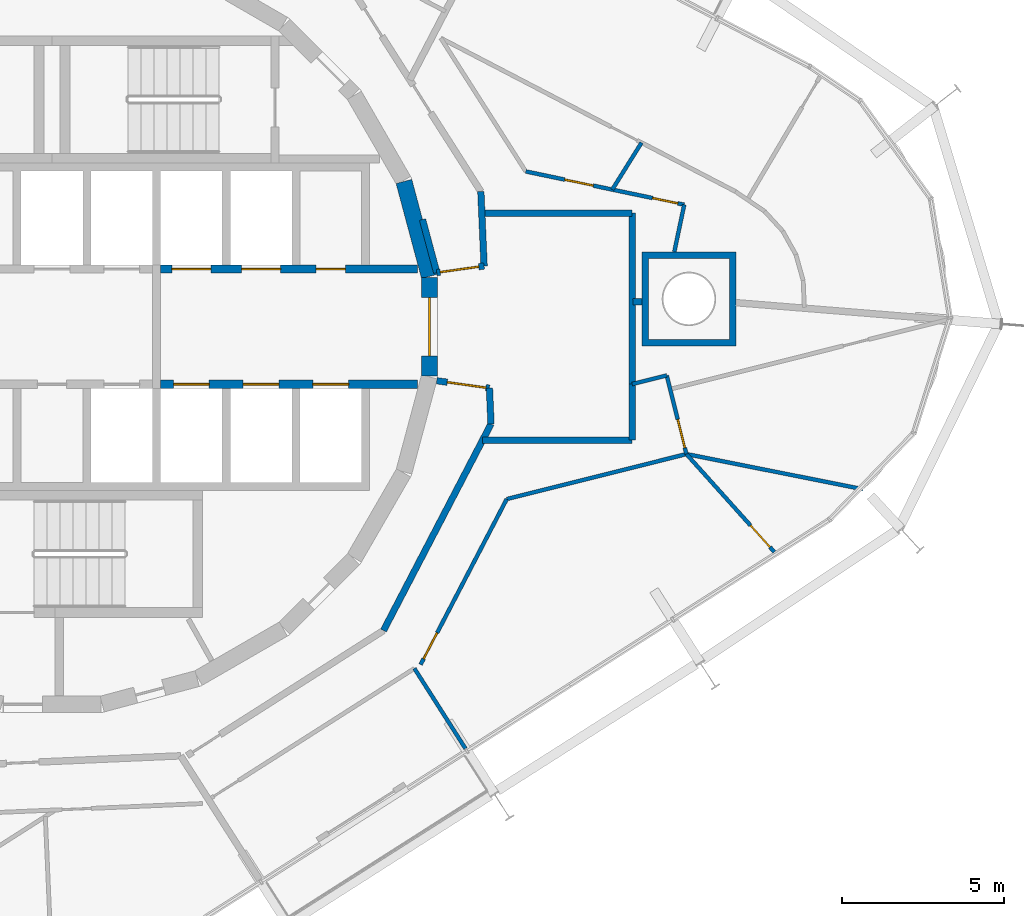
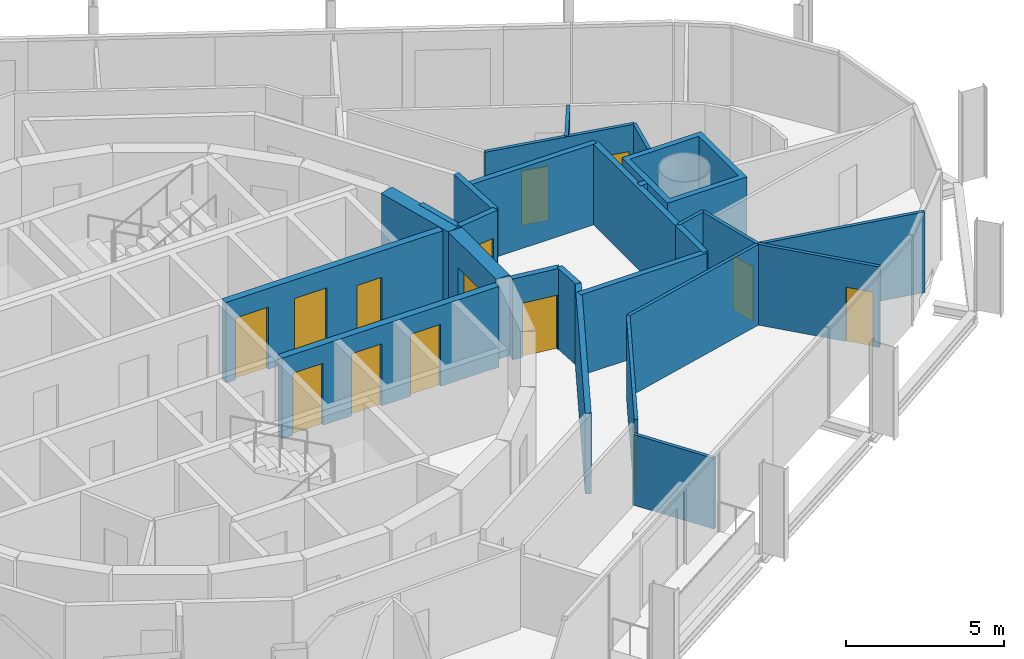
# One storey, part 14 of 18: 26 walls, 14 doors, 14 openings.
"""IFC4 building model written with IfcOpenShell, lengths in metres."""

from ifc_helpers import new_model, si_unit, direction, frame, frame_2d, origin, place, context, subcontext, project, spatial, polyline, rectangle, outline, extrude, material, layer, layer_set, type_object, element, fill, save


model = new_model("IFC4")

# Units and contexts
model_context = context("Model", 3, precision=1e-05, world=origin(), true_north=direction((0.0, 1.0)))
body_context = subcontext(model_context, "Body", "Model", "MODEL_VIEW")
ifc_project = project(units=[si_unit("LENGTHUNIT", "METRE"), si_unit("AREAUNIT", "SQUARE_METRE"), si_unit("VOLUMEUNIT", "CUBIC_METRE"), si_unit("PLANEANGLEUNIT", "RADIAN"), si_unit("MASSUNIT", "GRAM", prefix="KILO")], contexts=[model_context])

# Site, building, storey
site_placement = place(None, origin())
site = spatial("IfcSite", under=ifc_project, at=site_placement, CompositionType="ELEMENT")
building_placement = place(site_placement, origin())
building = spatial("IfcBuilding", under=site, at=building_placement, Name="Spindle Arch Residences", CompositionType="ELEMENT")
storey_placement = place(building_placement, frame((0.0, 0.0, 230.199951171875)))
storey = spatial("IfcBuildingStorey", under=building, at=storey_placement, Name="L58", CompositionType="ELEMENT", Elevation=230.199951171875)

# Wall, opening, door
ifc_material_1 = material(Name="Concrete C50/60", Category="concrete")
ifc_layer_1 = layer(ifc_material_1, 0.5)
ifc_layer_set_1 = layer_set([ifc_layer_1], Name="Core outline wall 500")
wall_type_1 = type_object("IfcWallType", Name="Core outline wall 500", PredefinedType="SHEAR", material=ifc_layer_set_1)
wall_1_placement = place(storey_placement, frame((11.647216796875, -1.516357421875, 0.0), z_axis=(0.0, 0.0, 1.0), x_axis=(0.0, 1.0, 0.0)))
wall_1 = element("IfcWall", 1, at=wall_1_placement, inside=storey, type_object=wall_type_1, Name="Core outline wall 6", PredefinedType="SHEAR", context=body_context, shape_type="SweptSolid", body=[
    extrude(rectangle(XDim=3.03271484375, YDim=0.5, at=frame_2d((1.516357421875, 0.0))), origin(), (0.0, 0.0, 1.0), 3.1201171875),
])
opening_1_placement = place(wall_1_placement, frame((0.6162109375, 0.0, 0.0)))
opening_1 = element("IfcOpeningElement", 2, at=opening_1_placement, cuts=wall_1, Name="Opening R6A1-FE01", PredefinedType="OPENING", context=body_context, shape_type="SweptSolid", body=[
    extrude(rectangle(XDim=1.800048828125, YDim=2.10009765625, at=frame_2d((0.89990234375, 1.050048828125))), frame((0.0, 0.260009765625, 0.0), z_axis=(0.0, -1.0, 0.0), x_axis=(1.0, 0.0, 0.0)), (0.0, 0.0, 1.0), 0.52001953125),
])
ifc_material_2 = material(Name="Steel, fire-resisting door", Category="steel")
door_type_1 = type_object("IfcDoorType", Name="Fire-lift lobby door 1800x2100", OperationType="DOUBLE_DOOR_SINGLE_SWING", PredefinedType="DOOR", material=ifc_material_2)
door_1_placement = place(opening_1_placement, origin())
door_1 = element("IfcDoor", 3, at=door_1_placement, inside=storey, type_object=door_type_1, Name="Fire-lift lobby door R6A1-FE01", OperationType="DOUBLE_DOOR_SINGLE_SWING", OverallHeight=2.10009765625, OverallWidth=1.800048828125, PredefinedType="DOOR", context=body_context, shape_type="SweptSolid", body=[
    extrude(rectangle(XDim=1.800048828125, YDim=2.10009765625, at=frame_2d((0.89990234375, 1.050048828125))), frame((0.0, 0.02490234375, 0.0), z_axis=(0.0, -1.0, 0.0), x_axis=(1.0, 0.0, 0.0)), (0.0, 0.0, 1.0), 0.050048828125),
])
fill(opening_1, door_1)

# Walls
wall_2_placement = place(storey_placement, frame((11.642822265625, 1.5498046875, 0.0), z_axis=(0.0, 0.0, 1.0), x_axis=(-0.258734743916, 0.965948410781, 0.0)))
element("IfcWall", 4, at=wall_2_placement, inside=storey, type_object=wall_type_1, Name="Core outline wall 7", PredefinedType="SHEAR", context=body_context, shape_type="SweptSolid", body=[
    extrude(rectangle(XDim=3.03271484375, YDim=0.5, at=frame_2d((1.516357421875, 0.0))), origin(), (0.0, 0.0, 1.0), 3.1201171875),
])
ifc_material_3 = material(Name="Calcium silicate block, plastered")
ifc_layer_2 = layer(ifc_material_3, 0.199951171875)
ifc_layer_set_2 = layer_set([ifc_layer_2], Name="Fire-lift lobby bay wall 200")
wall_type_2 = type_object("IfcWallType", Name="Fire-lift lobby bay wall 200", PredefinedType="STANDARD", material=ifc_layer_set_2)
wall_3_placement = place(storey_placement, frame((11.8701171875, 1.668212890625, 0.0), z_axis=(0.0, 0.0, 1.0), x_axis=(-0.258836880648, 0.965921047093, 0.0)))
element("IfcWall", 5, at=wall_3_placement, inside=storey, type_object=wall_type_2, Name="Fire-lift lobby bay wall R6A1-W001", PredefinedType="STANDARD", context=body_context, shape_type="SweptSolid", body=[
    extrude(rectangle(XDim=1.695068359375, YDim=0.199951171875, at=frame_2d((0.84765625, 0.0))), origin(), (0.0, 0.0, 1.0), 3.1201171875),
])

# Wall, opening, door
wall_4_placement = place(storey_placement, frame((11.8701171875, 1.668212890625, 0.0), z_axis=(0.0, 0.0, 1.0), x_axis=(0.990267985606, 0.139173692496, 0.0)))
wall_4 = element("IfcWall", 6, at=wall_4_placement, inside=storey, type_object=wall_type_2, Name="Fire-lift lobby bay wall R6A1-W002", PredefinedType="STANDARD", context=body_context, shape_type="SweptSolid", body=[
    extrude(rectangle(XDim=1.475341796875, YDim=0.199951171875, at=frame_2d((0.73779296875, 0.0))), origin(), (0.0, 0.0, 1.0), 3.1201171875),
])
opening_2_placement = place(wall_4_placement, frame((0.110107421875, 0.0, 0.0)))
opening_2 = element("IfcOpeningElement", 7, at=opening_2_placement, cuts=wall_4, Name="Opening R6A1-CD01", PredefinedType="OPENING", context=body_context, shape_type="SweptSolid", body=[
    extrude(rectangle(XDim=1.199951171875, YDim=2.10009765625, at=frame_2d((0.60009765625, 1.050048828125))), frame((0.0, 0.10986328125, 0.0), z_axis=(0.0, -1.0, 0.0), x_axis=(1.0, 0.0, 0.0)), (0.0, 0.0, 1.0), 0.219970703125),
])
ifc_material_4 = material(Name="Steel, fire-resisting door", Category="steel")
door_type_2 = type_object("IfcDoorType", Name="Corridor division door 1200x2100", OperationType="NOTDEFINED", PredefinedType="DOOR", material=ifc_material_4)
door_2_placement = place(opening_2_placement, origin())
door_2 = element("IfcDoor", 8, at=door_2_placement, inside=storey, type_object=door_type_2, Name="Corridor division door R6A1-CD01", OperationType="DOUBLE_DOOR_SINGLE_SWING", OverallHeight=2.10009765625, OverallWidth=1.199951171875, PredefinedType="DOOR", context=body_context, shape_type="SweptSolid", body=[
    extrude(rectangle(XDim=1.199951171875, YDim=2.10009765625, at=frame_2d((0.60009765625, 1.050048828125))), frame((0.0, 0.02490234375, 0.0), z_axis=(0.0, -1.0, 0.0), x_axis=(1.0, 0.0, 0.0)), (0.0, 0.0, 1.0), 0.050048828125),
])
fill(opening_2, door_2)

# Walls
wall_5_placement = place(storey_placement, frame((13.3310546875, 1.87353515625, 0.0), z_axis=(0.0, 0.0, 1.0), x_axis=(-0.043621457762, 0.999048131184, 0.0)))
element("IfcWall", 9, at=wall_5_placement, inside=storey, type_object=wall_type_2, Name="Fire-lift lobby bay wall R6A1-W003", PredefinedType="STANDARD", context=body_context, shape_type="SweptSolid", body=[
    extrude(rectangle(XDim=2.30029296875, YDim=0.199951171875, at=frame_2d((1.150146484375, 0.0))), origin(), (0.0, 0.0, 1.0), 3.1201171875),
])
wall_6_placement = place(storey_placement, frame((10.22802734375, -9.372314453125, 0.0), z_axis=(0.0, 0.0, 1.0), x_axis=(0.461759464021, 0.887005184532, 0.0)))
element("IfcWall", 10, at=wall_6_placement, inside=storey, type_object=wall_type_2, Name="Fire-lift lobby bay wall R6A1-W013", PredefinedType="STANDARD", context=body_context, shape_type="SweptSolid", body=[
    extrude(rectangle(XDim=7.18115234375, YDim=0.199951171875, at=frame_2d((3.590576171875, 0.0))), origin(), (0.0, 0.0, 1.0), 3.1201171875),
])
wall_7_placement = place(storey_placement, frame((13.5439453125, -3.002685546875, 0.0), z_axis=(0.0, 0.0, 1.0), x_axis=(-0.043666917606, 0.999046145234, 0.0)))
element("IfcWall", 11, at=wall_7_placement, inside=storey, type_object=wall_type_2, Name="Fire-lift lobby bay wall R6A1-W014", PredefinedType="STANDARD", context=body_context, shape_type="SweptSolid", body=[
    extrude(rectangle(XDim=1.10693359375, YDim=0.199951171875, at=frame_2d((0.553466796875, 0.0))), origin(), (0.0, 0.0, 1.0), 3.1201171875),
])

# Wall, opening, door
wall_8_placement = place(storey_placement, frame((13.49560546875, -1.896728515625, 0.0), z_axis=(0.0, 0.0, 1.0), x_axis=(-0.99026234641, 0.139213811391, 0.0)))
wall_8 = element("IfcWall", 12, at=wall_8_placement, inside=storey, type_object=wall_type_2, Name="Fire-lift lobby bay wall R6A1-W015", PredefinedType="STANDARD", context=body_context, shape_type="SweptSolid", body=[
    extrude(rectangle(XDim=1.641357421875, YDim=0.199951171875, at=frame_2d((0.82080078125, 0.0))), origin(), (0.0, 0.0, 1.0), 3.1201171875),
])
opening_3_placement = place(wall_8_placement, frame((0.110107421875, 0.0, 0.0)))
opening_3 = element("IfcOpeningElement", 13, at=opening_3_placement, cuts=wall_8, Name="Opening R6A1-CD02", PredefinedType="OPENING", context=body_context, shape_type="SweptSolid", body=[
    extrude(rectangle(XDim=1.199951171875, YDim=2.10009765625, at=frame_2d((0.60009765625, 1.050048828125))), frame((0.0, 0.10986328125, 0.0), z_axis=(0.0, -1.0, 0.0), x_axis=(1.0, 0.0, 0.0)), (0.0, 0.0, 1.0), 0.219970703125),
])
door_3_placement = place(opening_3_placement, origin())
door_3 = element("IfcDoor", 14, at=door_3_placement, inside=storey, type_object=door_type_2, Name="Corridor division door R6A1-CD02", OperationType="DOUBLE_DOOR_SINGLE_SWING", OverallHeight=2.10009765625, OverallWidth=1.199951171875, PredefinedType="DOOR", context=body_context, shape_type="SweptSolid", body=[
    extrude(rectangle(XDim=1.199951171875, YDim=2.10009765625, at=frame_2d((0.60009765625, 1.050048828125))), frame((0.0, 0.02490234375, 0.0), z_axis=(0.0, -1.0, 0.0), x_axis=(1.0, 0.0, 0.0)), (0.0, 0.0, 1.0), 0.050048828125),
])
fill(opening_3, door_3)

# Walls
wall_9_placement = place(storey_placement, frame((17.89990234375, -1.77197265625, 0.0), z_axis=(0.0, 0.0, 1.0), x_axis=(0.0, 1.0, 0.0)))
element("IfcWall", 15, at=wall_9_placement, inside=storey, type_object=wall_type_2, Name="Fire-lift lobby bay wall R6A1-W024", PredefinedType="STANDARD", context=body_context, shape_type="SweptSolid", body=[
    extrude(rectangle(XDim=5.27197265625, YDim=0.199951171875, at=frame_2d((2.635986328125, 0.0))), origin(), (0.0, 0.0, 1.0), 3.1201171875),
])
wall_10_placement = place(storey_placement, frame((17.89990234375, 3.5, 0.0), z_axis=(0.0, 0.0, 1.0), x_axis=(-1.0, 0.0, 0.0)))
element("IfcWall", 16, at=wall_10_placement, inside=storey, type_object=wall_type_2, Name="Fire-lift lobby bay wall R6A1-W025", PredefinedType="STANDARD", context=body_context, shape_type="SweptSolid", body=[
    extrude(rectangle(XDim=4.639892578125, YDim=0.199951171875, at=frame_2d((2.31982421875, 0.0))), origin(), (0.0, 0.0, 1.0), 3.1201171875),
])
wall_11_placement = place(storey_placement, frame((13.284912109375, -3.5, 0.0), z_axis=(0.0, 0.0, 1.0), x_axis=(1.0, 0.0, 0.0)))
element("IfcWall", 17, at=wall_11_placement, inside=storey, type_object=wall_type_2, Name="Fire-lift lobby bay wall R6A1-W026", PredefinedType="STANDARD", context=body_context, shape_type="SweptSolid", body=[
    extrude(rectangle(XDim=4.614990234375, YDim=0.199951171875, at=frame_2d((2.3076171875, 0.0))), origin(), (0.0, 0.0, 1.0), 3.1201171875),
])
wall_12_placement = place(storey_placement, frame((17.89990234375, -3.5, 0.0), z_axis=(0.0, 0.0, 1.0), x_axis=(0.0, 1.0, 0.0)))
element("IfcWall", 18, at=wall_12_placement, inside=storey, type_object=wall_type_2, Name="Fire-lift lobby bay wall R6A1-W027", PredefinedType="STANDARD", context=body_context, shape_type="SweptSolid", body=[
    extrude(rectangle(XDim=1.72802734375, YDim=0.199951171875, at=frame_2d((0.864013671875, 0.0))), origin(), (0.0, 0.0, 1.0), 3.1201171875),
])

# Wall, openings, doors
ifc_material_5 = material(Name="Concrete C40/50", Category="concrete")
ifc_layer_3 = layer(ifc_material_5, 0.25)
ifc_layer_set_3 = layer_set([ifc_layer_3], Name="Fire-lift lobby wall 250")
wall_type_3 = type_object("IfcWallType", Name="Fire-lift lobby wall 250", PredefinedType="SHEAR", material=ifc_layer_set_3)
wall_13_placement = place(storey_placement, frame((3.35009765625, 1.77490234375, 0.0), z_axis=(0.0, 0.0, 1.0), x_axis=(1.0, 0.0, 0.0)))
wall_13 = element("IfcWall", 19, at=wall_13_placement, inside=storey, type_object=wall_type_3, Name="Lift shaft front wall NE", PredefinedType="SHEAR", context=body_context, shape_type="SweptSolid", body=[
    extrude(rectangle(XDim=7.929931640625, YDim=0.25, at=frame_2d((3.96484375, 0.0))), origin(), (0.0, 0.0, 1.0), 3.1201171875),
])
opening_4_placement = place(wall_13_placement, frame((0.35009765625, 0.0, 0.0)))
opening_4 = element("IfcOpeningElement", 20, at=opening_4_placement, cuts=wall_13, Name="Opening R6A1-SLD01", PredefinedType="OPENING", context=body_context, shape_type="SweptSolid", body=[
    extrude(rectangle(XDim=1.199951171875, YDim=2.39990234375, at=frame_2d((0.60009765625, 1.199951171875))), frame((0.0, 0.135009765625, 0.0), z_axis=(0.0, -1.0, 0.0), x_axis=(1.0, 0.0, 0.0)), (0.0, 0.0, 1.0), 0.27001953125),
])
opening_5_placement = place(wall_13_placement, frame((2.5, 0.0, 0.0)))
opening_5 = element("IfcOpeningElement", 21, at=opening_5_placement, cuts=wall_13, Name="Opening R6A1-SLD02", PredefinedType="OPENING", context=body_context, shape_type="SweptSolid", body=[
    extrude(rectangle(XDim=1.199951171875, YDim=2.39990234375, at=frame_2d((0.60009765625, 1.199951171875))), frame((0.0, 0.135009765625, 0.0), z_axis=(0.0, -1.0, 0.0), x_axis=(1.0, 0.0, 0.0)), (0.0, 0.0, 1.0), 0.27001953125),
])
opening_6_placement = place(wall_13_placement, frame((4.800048828125, 0.0, 0.0)))
opening_6 = element("IfcOpeningElement", 22, at=opening_6_placement, cuts=wall_13, Name="Opening R6A1-WD03", PredefinedType="OPENING", context=body_context, shape_type="SweptSolid", body=[
    extrude(rectangle(XDim=0.89990234375, YDim=2.10009765625, at=frame_2d((0.449951171875, 1.050048828125))), frame((0.0, 0.135009765625, 0.0), z_axis=(0.0, -1.0, 0.0), x_axis=(1.0, 0.0, 0.0)), (0.0, 0.0, 1.0), 0.27001953125),
])
ifc_material_6 = material(Name="Steel, fire-resisting landing door", Category="steel")
door_type_3 = type_object("IfcDoorType", Name="Service lift landing door 1200x2400", OperationType="DOUBLE_DOOR_SLIDING", PredefinedType="DOOR", material=ifc_material_6)
door_4_placement = place(opening_4_placement, origin())
door_4 = element("IfcDoor", 23, at=door_4_placement, inside=storey, type_object=door_type_3, Name="Service lift landing door R6A1-SLD01", OperationType="DOUBLE_DOOR_SLIDING", OverallHeight=2.39990234375, OverallWidth=1.199951171875, PredefinedType="DOOR", context=body_context, shape_type="SweptSolid", body=[
    extrude(rectangle(XDim=1.199951171875, YDim=2.39990234375, at=frame_2d((0.60009765625, 1.199951171875))), frame((0.0, 0.02490234375, 0.0), z_axis=(0.0, -1.0, 0.0), x_axis=(1.0, 0.0, 0.0)), (0.0, 0.0, 1.0), 0.050048828125),
])
fill(opening_4, door_4)
door_5_placement = place(opening_5_placement, origin())
door_5 = element("IfcDoor", 24, at=door_5_placement, inside=storey, type_object=door_type_3, Name="Service lift landing door R6A1-SLD02", OperationType="DOUBLE_DOOR_SLIDING", OverallHeight=2.39990234375, OverallWidth=1.199951171875, PredefinedType="DOOR", context=body_context, shape_type="SweptSolid", body=[
    extrude(rectangle(XDim=1.199951171875, YDim=2.39990234375, at=frame_2d((0.60009765625, 1.199951171875))), frame((0.0, 0.02490234375, 0.0), z_axis=(0.0, -1.0, 0.0), x_axis=(1.0, 0.0, 0.0)), (0.0, 0.0, 1.0), 0.050048828125),
])
fill(opening_5, door_5)
ifc_material_7 = material(Name="Steel, fire-resisting door", Category="steel")
door_type_4 = type_object("IfcDoorType", Name="Service room door 900x2100", OperationType="SINGLE_SWING_LEFT", PredefinedType="DOOR", material=ifc_material_7)
door_6_placement = place(opening_6_placement, origin())
door_6 = element("IfcDoor", 25, at=door_6_placement, inside=storey, type_object=door_type_4, Name="Service room door R6A1-WD03", OperationType="SINGLE_SWING_LEFT", OverallHeight=2.10009765625, OverallWidth=0.89990234375, PredefinedType="DOOR", context=body_context, shape_type="SweptSolid", body=[
    extrude(rectangle(XDim=0.89990234375, YDim=2.10009765625, at=frame_2d((0.449951171875, 1.050048828125))), frame((0.0, 0.02490234375, 0.0), z_axis=(0.0, -1.0, 0.0), x_axis=(1.0, 0.0, 0.0)), (0.0, 0.0, 1.0), 0.050048828125),
])
fill(opening_6, door_6)

ifc_material_8 = material(Name="Concrete C50/60", Category="concrete")
ifc_layer_4 = layer(ifc_material_8, 0.25)
ifc_layer_set_4 = layer_set([ifc_layer_4], Name="Fire-lift shaft wall 250")
wall_type_4 = type_object("IfcWallType", Name="Fire-lift shaft wall 250", PredefinedType="SHEAR", material=ifc_layer_set_4)
wall_14_placement = place(storey_placement, frame((3.35009765625, -1.77490234375, 0.0), z_axis=(0.0, 0.0, 1.0), x_axis=(1.0, 0.0, 0.0)))
wall_14 = element("IfcWall", 26, at=wall_14_placement, inside=storey, type_object=wall_type_4, Name="Lift shaft front wall SE", PredefinedType="SHEAR", context=body_context, shape_type="SweptSolid", body=[
    extrude(rectangle(XDim=7.929931640625, YDim=0.25, at=frame_2d((3.96484375, 0.0))), origin(), (0.0, 0.0, 1.0), 3.1201171875),
])
opening_7_placement = place(wall_14_placement, frame((0.39990234375, 0.0, 0.0)))
opening_7 = element("IfcOpeningElement", 27, at=opening_7_placement, cuts=wall_14, Name="Opening R6A1-FLD01", PredefinedType="OPENING", context=body_context, shape_type="SweptSolid", body=[
    extrude(rectangle(XDim=1.10009765625, YDim=2.39990234375, at=frame_2d((0.550048828125, 1.199951171875))), frame((0.0, 0.135009765625, 0.0), z_axis=(0.0, -1.0, 0.0), x_axis=(1.0, 0.0, 0.0)), (0.0, 0.0, 1.0), 0.27001953125),
])
opening_8_placement = place(wall_14_placement, frame((2.550048828125, 0.0, 0.0)))
opening_8 = element("IfcOpeningElement", 28, at=opening_8_placement, cuts=wall_14, Name="Opening R6A1-FLD02", PredefinedType="OPENING", context=body_context, shape_type="SweptSolid", body=[
    extrude(rectangle(XDim=1.10009765625, YDim=2.39990234375, at=frame_2d((0.550048828125, 1.199951171875))), frame((0.0, 0.135009765625, 0.0), z_axis=(0.0, -1.0, 0.0), x_axis=(1.0, 0.0, 0.0)), (0.0, 0.0, 1.0), 0.27001953125),
])
opening_9_placement = place(wall_14_placement, frame((4.699951171875, 0.0, 0.0)))
opening_9 = element("IfcOpeningElement", 29, at=opening_9_placement, cuts=wall_14, Name="Opening R6A1-FLD03", PredefinedType="OPENING", context=body_context, shape_type="SweptSolid", body=[
    extrude(rectangle(XDim=1.10009765625, YDim=2.39990234375, at=frame_2d((0.550048828125, 1.199951171875))), frame((0.0, 0.135009765625, 0.0), z_axis=(0.0, -1.0, 0.0), x_axis=(1.0, 0.0, 0.0)), (0.0, 0.0, 1.0), 0.27001953125),
])
ifc_material_9 = material(Name="Steel, fire-resisting landing door", Category="steel")
door_type_5 = type_object("IfcDoorType", Name="Fire-fighting lift landing door 1100x2400", OperationType="DOUBLE_DOOR_SLIDING", PredefinedType="DOOR", material=ifc_material_9)
door_7_placement = place(opening_7_placement, origin())
door_7 = element("IfcDoor", 30, at=door_7_placement, inside=storey, type_object=door_type_5, Name="Fire-fighting lift landing door R6A1-FLD01", OperationType="DOUBLE_DOOR_SLIDING", OverallHeight=2.39990234375, OverallWidth=1.10009765625, PredefinedType="DOOR", context=body_context, shape_type="SweptSolid", body=[
    extrude(rectangle(XDim=1.10009765625, YDim=2.39990234375, at=frame_2d((0.550048828125, 1.199951171875))), frame((0.0, 0.02490234375, 0.0), z_axis=(0.0, -1.0, 0.0), x_axis=(1.0, 0.0, 0.0)), (0.0, 0.0, 1.0), 0.050048828125),
])
fill(opening_7, door_7)
door_8_placement = place(opening_8_placement, origin())
door_8 = element("IfcDoor", 31, at=door_8_placement, inside=storey, type_object=door_type_5, Name="Fire-fighting lift landing door R6A1-FLD02", OperationType="DOUBLE_DOOR_SLIDING", OverallHeight=2.39990234375, OverallWidth=1.10009765625, PredefinedType="DOOR", context=body_context, shape_type="SweptSolid", body=[
    extrude(rectangle(XDim=1.10009765625, YDim=2.39990234375, at=frame_2d((0.550048828125, 1.199951171875))), frame((0.0, 0.02490234375, 0.0), z_axis=(0.0, -1.0, 0.0), x_axis=(1.0, 0.0, 0.0)), (0.0, 0.0, 1.0), 0.050048828125),
])
fill(opening_8, door_8)
door_9_placement = place(opening_9_placement, origin())
door_9 = element("IfcDoor", 32, at=door_9_placement, inside=storey, type_object=door_type_5, Name="Fire-fighting lift landing door R6A1-FLD03", OperationType="DOUBLE_DOOR_SLIDING", OverallHeight=2.39990234375, OverallWidth=1.10009765625, PredefinedType="DOOR", context=body_context, shape_type="SweptSolid", body=[
    extrude(rectangle(XDim=1.10009765625, YDim=2.39990234375, at=frame_2d((0.550048828125, 1.199951171875))), frame((0.0, 0.02490234375, 0.0), z_axis=(0.0, -1.0, 0.0), x_axis=(1.0, 0.0, 0.0)), (0.0, 0.0, 1.0), 0.050048828125),
])
fill(opening_9, door_9)

# Wall
ifc_material_10 = material(Name="Plasterboard on steel studs", Category="steel")
ifc_layer_5 = layer(ifc_material_10, 0.1201171875)
ifc_layer_set_5 = layer_set([ifc_layer_5], Name="Flat partition 120")
wall_type_5 = type_object("IfcWallType", Name="Flat partition 120", PredefinedType="PARTITIONING", material=ifc_layer_set_5)
wall_15_placement = place(storey_placement, frame((19.19921875, 2.307861328125, 0.0), z_axis=(0.0, 0.0, 1.0), x_axis=(0.205580140246, 0.978640284239, 0.0)))
element("IfcWall", 33, at=wall_15_placement, inside=storey, type_object=wall_type_5, Name="Flat partition R6A1-W040", PredefinedType="PARTITIONING", context=body_context, shape_type="SweptSolid", body=[
    extrude(rectangle(XDim=1.48681640625, YDim=0.1201171875, at=frame_2d((0.743408203125, 0.0))), origin(), (0.0, 0.0, 1.0), 3.1201171875),
])

# Wall, openings, doors
wall_16_placement = place(storey_placement, frame((19.5048828125, 3.762939453125, 0.0), z_axis=(0.0, 0.0, 1.0), x_axis=(-0.978660081285, 0.205485876157, 0.0)))
wall_16 = element("IfcWall", 34, at=wall_16_placement, inside=storey, type_object=wall_type_5, Name="Flat partition R6A1-W041", PredefinedType="PARTITIONING", context=body_context, shape_type="SweptSolid", body=[
    extrude(rectangle(XDim=4.99609375, YDim=0.1201171875, at=frame_2d((2.498046875, 0.0))), origin(), (0.0, 0.0, 1.0), 3.1201171875),
])
opening_10_placement = place(wall_16_placement, frame((0.199951171875, 0.0, 0.0)))
opening_10 = element("IfcOpeningElement", 35, at=opening_10_placement, cuts=wall_16, Name="Opening R6A1-BD01", PredefinedType="OPENING", context=body_context, shape_type="SweptSolid", body=[
    extrude(rectangle(XDim=0.800048828125, YDim=2.10009765625, at=frame_2d((0.39990234375, 1.050048828125))), frame((0.0, 0.070068359375, 0.0), z_axis=(0.0, -1.0, 0.0), x_axis=(1.0, 0.0, 0.0)), (0.0, 0.0, 1.0), 0.14013671875),
])
opening_11_placement = place(wall_16_placement, frame((2.86865234375, 0.0, 0.0)))
opening_11 = element("IfcOpeningElement", 36, at=opening_11_placement, cuts=wall_16, Name="Opening R6A1-ID01", PredefinedType="OPENING", context=body_context, shape_type="SweptSolid", body=[
    extrude(rectangle(XDim=0.89990234375, YDim=2.10009765625, at=frame_2d((0.449951171875, 1.050048828125))), frame((0.0, 0.070068359375, 0.0), z_axis=(0.0, -1.0, 0.0), x_axis=(1.0, 0.0, 0.0)), (0.0, 0.0, 1.0), 0.14013671875),
])
ifc_material_11 = material(Name="Timber door set", Category="wood")
door_type_6 = type_object("IfcDoorType", Name="Bathroom door 800x2100", OperationType="NOTDEFINED", PredefinedType="DOOR", material=ifc_material_11)
door_10_placement = place(opening_10_placement, origin())
door_10 = element("IfcDoor", 37, at=door_10_placement, inside=storey, type_object=door_type_6, Name="Bathroom door R6A1-BD01", OperationType="SINGLE_SWING_LEFT", OverallHeight=2.10009765625, OverallWidth=0.800048828125, PredefinedType="DOOR", context=body_context, shape_type="SweptSolid", body=[
    extrude(rectangle(XDim=0.800048828125, YDim=2.10009765625, at=frame_2d((0.39990234375, 1.050048828125))), frame((0.0, 0.02490234375, 0.0), z_axis=(0.0, -1.0, 0.0), x_axis=(1.0, 0.0, 0.0)), (0.0, 0.0, 1.0), 0.050048828125),
])
fill(opening_10, door_10)
ifc_material_12 = material(Name="Timber door set", Category="wood")
door_type_7 = type_object("IfcDoorType", Name="Room door 900x2100", OperationType="NOTDEFINED", PredefinedType="DOOR", material=ifc_material_12)
door_11_placement = place(opening_11_placement, origin())
door_11 = element("IfcDoor", 38, at=door_11_placement, inside=storey, type_object=door_type_7, Name="Room door R6A1-ID01", OperationType="SINGLE_SWING_LEFT", OverallHeight=2.10009765625, OverallWidth=0.89990234375, PredefinedType="DOOR", context=body_context, shape_type="SweptSolid", body=[
    extrude(rectangle(XDim=0.89990234375, YDim=2.10009765625, at=frame_2d((0.449951171875, 1.050048828125))), frame((0.0, 0.02490234375, 0.0), z_axis=(0.0, -1.0, 0.0), x_axis=(1.0, 0.0, 0.0)), (0.0, 0.0, 1.0), 0.050048828125),
])
fill(opening_11, door_11)

# Wall
wall_17_placement = place(storey_placement, frame((18.188720703125, 5.67724609375, 0.0), z_axis=(0.0, 0.0, 1.0), x_axis=(-0.529639004581, -0.848223157445, 0.0)))
element("IfcWall", 39, at=wall_17_placement, inside=storey, type_object=wall_type_5, Name="Flat partition R6A1-W049", PredefinedType="PARTITIONING", context=body_context, shape_type="SweptSolid", body=[
    extrude(rectangle(XDim=1.707275390625, YDim=0.1201171875, at=frame_2d((0.853515625, 0.0))), origin(), (0.0, 0.0, 1.0), 3.1201171875),
])

# Wall, opening, door
wall_18_placement = place(storey_placement, frame((11.373046875, -10.42138671875, 0.0), z_axis=(0.0, 0.0, 1.0), x_axis=(0.461738939635, 0.887015868869, 0.0)))
wall_18 = element("IfcWall", 40, at=wall_18_placement, inside=storey, type_object=wall_type_5, Name="Flat partition R6A1-W109", PredefinedType="PARTITIONING", context=body_context, shape_type="SweptSolid", body=[
    extrude(rectangle(XDim=5.751708984375, YDim=0.1201171875, at=frame_2d((2.8759765625, 0.0))), origin(), (0.0, 0.0, 1.0), 3.1201171875),
])
opening_12_placement = place(wall_18_placement, frame((0.199951171875, 0.0, 0.0)))
opening_12 = element("IfcOpeningElement", 41, at=opening_12_placement, cuts=wall_18, Name="Opening R6A1-ID24", PredefinedType="OPENING", context=body_context, shape_type="SweptSolid", body=[
    extrude(rectangle(XDim=0.89990234375, YDim=2.10009765625, at=frame_2d((0.449951171875, 1.050048828125))), frame((0.0, 0.070068359375, 0.0), z_axis=(0.0, -1.0, 0.0), x_axis=(1.0, 0.0, 0.0)), (0.0, 0.0, 1.0), 0.14013671875),
])
door_12_placement = place(opening_12_placement, origin())
door_12 = element("IfcDoor", 42, at=door_12_placement, inside=storey, type_object=door_type_7, Name="Room door R6A1-ID24", OperationType="SINGLE_SWING_RIGHT", OverallHeight=2.10009765625, OverallWidth=0.89990234375, PredefinedType="DOOR", context=body_context, shape_type="SweptSolid", body=[
    extrude(rectangle(XDim=0.89990234375, YDim=2.10009765625, at=frame_2d((0.449951171875, 1.050048828125))), frame((0.0, 0.02490234375, 0.0), z_axis=(0.0, -1.0, 0.0), x_axis=(1.0, 0.0, 0.0)), (0.0, 0.0, 1.0), 0.050048828125),
])
fill(opening_12, door_12)

# Wall
wall_19_placement = place(storey_placement, frame((14.02880859375, -5.319580078125, 0.0), z_axis=(0.0, 0.0, 1.0), x_axis=(0.969999099814, 0.243108507378, 0.0)))
element("IfcWall", 43, at=wall_19_placement, inside=storey, type_object=wall_type_5, Name="Flat partition R6A1-W110", PredefinedType="PARTITIONING", context=body_context, shape_type="SweptSolid", body=[
    extrude(rectangle(XDim=5.715087890625, YDim=0.1201171875, at=frame_2d((2.857421875, 0.0))), origin(), (0.0, 0.0, 1.0), 3.1201171875),
])

# Wall, opening, door
wall_20_placement = place(storey_placement, frame((19.572509765625, -3.93017578125, 0.0), z_axis=(0.0, 0.0, 1.0), x_axis=(-0.243155959183, 0.96998720585, 0.0)))
wall_20 = element("IfcWall", 44, at=wall_20_placement, inside=storey, type_object=wall_type_5, Name="Flat partition R6A1-W111", PredefinedType="PARTITIONING", context=body_context, shape_type="SweptSolid", body=[
    extrude(rectangle(XDim=2.5, YDim=0.1201171875, at=frame_2d((1.25, 0.0))), origin(), (0.0, 0.0, 1.0), 3.1201171875),
])
opening_13_placement = place(wall_20_placement, frame((0.199951171875, 0.0, 0.0)))
opening_13 = element("IfcOpeningElement", 45, at=opening_13_placement, cuts=wall_20, Name="Opening R6A1-ID25", PredefinedType="OPENING", context=body_context, shape_type="SweptSolid", body=[
    extrude(rectangle(XDim=0.89990234375, YDim=2.10009765625, at=frame_2d((0.449951171875, 1.050048828125))), frame((0.0, 0.070068359375, 0.0), z_axis=(0.0, -1.0, 0.0), x_axis=(1.0, 0.0, 0.0)), (0.0, 0.0, 1.0), 0.14013671875),
])
door_13_placement = place(opening_13_placement, origin())
door_13 = element("IfcDoor", 46, at=door_13_placement, inside=storey, type_object=door_type_7, Name="Room door R6A1-ID25", OperationType="SINGLE_SWING_RIGHT", OverallHeight=2.10009765625, OverallWidth=0.89990234375, PredefinedType="DOOR", context=body_context, shape_type="SweptSolid", body=[
    extrude(rectangle(XDim=0.89990234375, YDim=2.10009765625, at=frame_2d((0.449951171875, 1.050048828125))), frame((0.0, 0.02490234375, 0.0), z_axis=(0.0, -1.0, 0.0), x_axis=(1.0, 0.0, 0.0)), (0.0, 0.0, 1.0), 0.050048828125),
])
fill(opening_13, door_13)

# Wall
wall_21_placement = place(storey_placement, frame((18.964599609375, -1.505126953125, 0.0), z_axis=(0.0, 0.0, 1.0), x_axis=(-0.969998406835, -0.243111272339, 0.0)))
element("IfcWall", 47, at=wall_21_placement, inside=storey, type_object=wall_type_5, Name="Flat partition R6A1-W112", PredefinedType="PARTITIONING", context=body_context, shape_type="SweptSolid", body=[
    extrude(rectangle(XDim=1.09765625, YDim=0.1201171875, at=frame_2d((0.548828125, 0.0))), origin(), (0.0, 0.0, 1.0), 3.1201171875),
])

# Wall, opening, door
wall_22_placement = place(storey_placement, frame((22.283935546875, -6.949462890625, 0.0), z_axis=(0.0, 0.0, 1.0), x_axis=(-0.668156639948, 0.744020634454, 0.0)))
wall_22 = element("IfcWall", 48, at=wall_22_placement, inside=storey, type_object=wall_type_5, Name="Flat partition R6A1-W114", PredefinedType="PARTITIONING", context=body_context, shape_type="SweptSolid", body=[
    extrude(rectangle(XDim=4.05810546875, YDim=0.1201171875, at=frame_2d((2.029052734375, 0.0))), origin(), (0.0, 0.0, 1.0), 3.1201171875),
])
opening_14_placement = place(wall_22_placement, frame((0.199951171875, 0.0, 0.0)))
opening_14 = element("IfcOpeningElement", 49, at=opening_14_placement, cuts=wall_22, Name="Opening R6A1-ID26", PredefinedType="OPENING", context=body_context, shape_type="SweptSolid", body=[
    extrude(rectangle(XDim=0.89990234375, YDim=2.10009765625, at=frame_2d((0.449951171875, 1.050048828125))), frame((0.0, 0.070068359375, 0.0), z_axis=(0.0, -1.0, 0.0), x_axis=(1.0, 0.0, 0.0)), (0.0, 0.0, 1.0), 0.14013671875),
])
door_14_placement = place(opening_14_placement, origin())
door_14 = element("IfcDoor", 50, at=door_14_placement, inside=storey, type_object=door_type_7, Name="Room door R6A1-ID26", OperationType="SINGLE_SWING_RIGHT", OverallHeight=2.10009765625, OverallWidth=0.89990234375, PredefinedType="DOOR", context=body_context, shape_type="SweptSolid", body=[
    extrude(rectangle(XDim=0.89990234375, YDim=2.10009765625, at=frame_2d((0.449951171875, 1.050048828125))), frame((0.0, 0.02490234375, 0.0), z_axis=(0.0, -1.0, 0.0), x_axis=(1.0, 0.0, 0.0)), (0.0, 0.0, 1.0), 0.050048828125),
])
fill(opening_14, door_14)

# Walls
wall_23_placement = place(storey_placement, frame((25.021484375, -5.014892578125, 0.0), z_axis=(0.0, 0.0, 1.0), x_axis=(-0.98075605246, 0.195237203328, 0.0)))
element("IfcWall", 51, at=wall_23_placement, inside=storey, type_object=wall_type_5, Name="Flat partition R6A1-W115", PredefinedType="PARTITIONING", context=body_context, shape_type="SweptSolid", body=[
    extrude(rectangle(XDim=5.555908203125, YDim=0.1201171875, at=frame_2d((2.77783203125, 0.0))), origin(), (0.0, 0.0, 1.0), 3.1201171875),
])
ifc_material_13 = material(Name="Plasterboard on steel studs", Category="steel")
ifc_layer_6 = layer(ifc_material_13, 0.1201171875)
ifc_layer_set_6 = layer_set([ifc_layer_6], Name="Flat partition 120 under beam 2730")
wall_type_6 = type_object("IfcWallType", Name="Flat partition 120 under beam 2730", PredefinedType="PARTITIONING", material=ifc_layer_set_6)
wall_24_placement = place(storey_placement, frame((12.7578125, -13.018310546875, 0.0), z_axis=(0.0, 0.0, 1.0), x_axis=(-0.537338423153, 0.843366716798, 0.0)))
element("IfcWall", 52, at=wall_24_placement, inside=storey, type_object=wall_type_6, Name="Flat partition R6A1-W113", PredefinedType="PARTITIONING", context=body_context, shape_type="SweptSolid", body=[
    extrude(rectangle(XDim=2.93408203125, YDim=0.1201171875, at=frame_2d((1.467041015625, 0.0))), origin(), (0.0, 0.0, 1.0), 2.72998046875),
])
ifc_material_14 = material(Name="Calcium silicate block, plastered")
ifc_layer_7 = layer(ifc_material_14, 0.199951171875)
ifc_layer_set_7 = layer_set([ifc_layer_7], Name="Flat party wall 200")
wall_type_7 = type_object("IfcWallType", Name="Flat party wall 200", PredefinedType="STANDARD", material=ifc_layer_set_7)
wall_25_placement = place(storey_placement, frame((17.919921875, 0.761474609375, 0.0), z_axis=(0.0, 0.0, 1.0), x_axis=(0.999051221661, 0.04355061995, 0.0)))
element("IfcWall", 53, at=wall_25_placement, inside=storey, type_object=wall_type_7, Name="Flat party wall R6A1-W029", PredefinedType="STANDARD", context=body_context, shape_type="SweptSolid", body=[
    extrude(rectangle(XDim=0.2802734375, YDim=0.199951171875, at=frame_2d((0.14013671875, 0.0))), origin(), (0.0, 0.0, 1.0), 3.1201171875),
])
ifc_material_15 = material(Name="Calcium silicate block, plastered")
ifc_layer_8 = layer(ifc_material_15, 0.199951171875)
ifc_layer_set_8 = layer_set([ifc_layer_8], Name="Mega-column casing wall 200")
wall_type_8 = type_object("IfcWallType", Name="Mega-column casing wall 200", PredefinedType="STANDARD", material=ifc_layer_set_8)
wall_26_placement = place(storey_placement, origin())
element("IfcWall", 54, at=wall_26_placement, inside=storey, type_object=wall_type_8, Name="Mega-column casing wall R6A1-WC01", PredefinedType="STANDARD", context=body_context, shape_type="SweptSolid", body=[
    extrude(outline(polyline([(21.10009765625, 2.307861328125), (21.10009765625, -0.592041015625), (18.199951171875, -0.592041015625), (18.199951171875, 2.307861328125), (21.10009765625, 2.307861328125)]), holes=[polyline([(18.39990234375, -0.39208984375), (20.89990234375, -0.39208984375), (20.89990234375, 2.10791015625), (18.39990234375, 2.10791015625), (18.39990234375, -0.39208984375)])]), origin(), (0.0, 0.0, 1.0), 3.1201171875),
])

save(model, "model.ifc")
